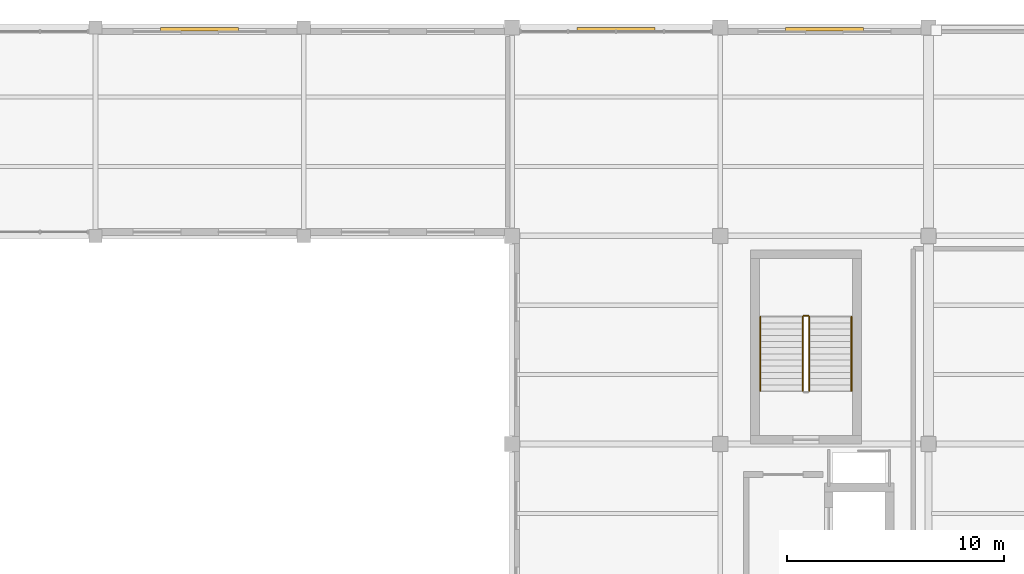
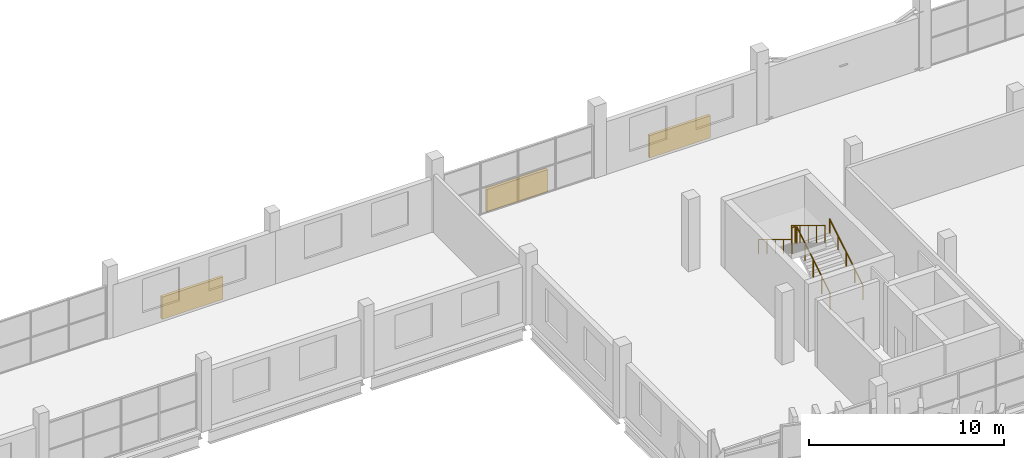
# One storey, part 91 of 92: 5 railings, 3 shading devices.
"""IFC4 building model written with IfcOpenShell, lengths in metres."""

from ifc_helpers import new_model, si_unit, direction, frame, origin, origin_2d, place, context, subcontext, project, spatial, rectangle, circle, extrude, material, type_object, element, save


model = new_model("IFC4")

# Units and contexts
model_context = context("Model", 3, precision=1e-05, world=origin(), true_north=direction((0.0, 1.0)))
body_context = subcontext(model_context, "Body", "Model", "MODEL_VIEW")
ifc_project = project(units=[si_unit("LENGTHUNIT", "METRE"), si_unit("AREAUNIT", "SQUARE_METRE"), si_unit("VOLUMEUNIT", "CUBIC_METRE"), si_unit("PLANEANGLEUNIT", "RADIAN"), si_unit("MASSUNIT", "GRAM", prefix="KILO")], contexts=[model_context])

# Site, building, storey
site_placement = place(None, origin())
site = spatial("IfcSite", under=ifc_project, at=site_placement, CompositionType="ELEMENT")
building_placement = place(site_placement, origin())
building = spatial("IfcBuilding", under=site, at=building_placement, Name="Caelomonte Colonnade Arena", CompositionType="ELEMENT")
storey_placement = place(building_placement, frame((0.0, 0.0, 9.60009765625)))
storey = spatial("IfcBuildingStorey", under=building, at=storey_placement, Name="L02", CompositionType="ELEMENT", Elevation=9.60009765625)

# Shading devices
ifc_material_1 = material(Name="Bronze anodised aluminium AA6063-T6", Category="aluminium")
shading_device_type = type_object("IfcShadingDeviceType", Name="ENV-SD-LOUV1", PredefinedType="JALOUSIE", material=ifc_material_1)
for number, where, z_axis, x_axis, name in (
    (1, (129.60009765625, 143.919921875, 0.0), (0.0, 0.0, 1.0), (1.0, 0.0, 0.0), "Courtyard solar shading louvre LV-03"),
    (2, (148.800048828125, 143.919921875, 0.0), (0.0, 0.0, 1.0), (1.0, 0.0, 0.0), "Courtyard solar shading louvre LV-04"),
    (3, (158.39990234375, 143.919921875, 0.0), (0.0, 0.0, 1.0), (1.0, 0.0, 0.0), "Courtyard solar shading louvre LV-05"),
):
    element("IfcShadingDevice", number, at=place(storey_placement, frame(where, z_axis=z_axis, x_axis=x_axis)), inside=storey, type_object=shading_device_type, Name=name, PredefinedType="JALOUSIE", context=body_context, shape_type="SweptSolid", body=[
        extrude(rectangle(XDim=3.60009765625, YDim=0.159912109375, at=origin_2d()), origin(), (0.0, 0.0, 1.0), 1.39990234375),
    ])

# Railings
ifc_material_2 = material(Name="Painted galvanized steel stair guard", Category="steel")
railing_type_1 = type_object("IfcRailingType", Name="INT-RL-GRD", PredefinedType="GUARDRAIL", material=ifc_material_2)
railing_1_placement = place(storey_placement, frame((157.699951171875, 127.25, 0.173095703125)))
element("IfcRailing", 4, at=railing_1_placement, inside=storey, type_object=railing_type_1, Name="L02 ST-06 stair guard 1", PredefinedType="GUARDRAIL", context=body_context, shape_type="SweptSolid", body=[
    extrude(circle(Radius=0.02392578125, at=origin_2d()), frame((0.0, 0.0, 1.076171875), z_axis=(0.0, 0.854729506542, 0.519073665916), x_axis=(-1.0, 0.0, 0.0)), (0.0, 0.0, 1.0), 4.001220703125),
    extrude(circle(Radius=0.02099609375, at=origin_2d()), origin(), (0.0, 0.0, 1.0), 1.048095703125),
    extrude(circle(Radius=0.02099609375, at=origin_2d()), frame((0.0, 0.85498046875, 0.519287109375)), (0.0, 0.0, 1.0), 1.048095703125),
    extrude(circle(Radius=0.02099609375, at=origin_2d()), frame((0.0, 1.7099609375, 1.03857421875)), (0.0, 0.0, 1.0), 1.048095703125),
    extrude(circle(Radius=0.02099609375, at=origin_2d()), frame((0.0, 2.56494140625, 1.5576171875)), (0.0, 0.0, 1.0), 1.048095703125),
    extrude(circle(Radius=0.02099609375, at=origin_2d()), frame((0.0, 3.419921875, 2.076904296875)), (0.0, 0.0, 1.0), 1.048095703125),
])
railing_2_placement = place(storey_placement, frame((157.64990234375, 130.719970703125, 2.25)))
element("IfcRailing", 5, at=railing_2_placement, inside=storey, type_object=railing_type_1, Name="L02 ST-06 stair guard 2", PredefinedType="GUARDRAIL", context=body_context, shape_type="SweptSolid", body=[
    extrude(circle(Radius=0.02392578125, at=origin_2d()), frame((0.0, 0.0, 1.076171875), z_axis=(-1.0, 0.0, 0.0), x_axis=(0.0, -1.0, 0.0)), (0.0, 0.0, 1.0), 0.199951171875),
    extrude(circle(Radius=0.02099609375, at=origin_2d()), origin(), (0.0, 0.0, 1.0), 1.048095703125),
    extrude(circle(Radius=0.02099609375, at=origin_2d()), frame((-0.199951171875, 0.0, 0.0)), (0.0, 0.0, 1.0), 1.048095703125),
])
railing_3_placement = place(storey_placement, frame((157.39990234375, 130.669921875, 2.423095703125)))
element("IfcRailing", 6, at=railing_3_placement, inside=storey, type_object=railing_type_1, Name="L02 ST-06 stair guard 3", PredefinedType="GUARDRAIL", context=body_context, shape_type="SweptSolid", body=[
    extrude(circle(Radius=0.02392578125, at=origin_2d()), frame((0.0, 0.0, 1.076171875), z_axis=(0.0, -0.854729506542, 0.519073665916), x_axis=(1.0, 0.0, 0.0)), (0.0, 0.0, 1.0), 4.001220703125),
    extrude(circle(Radius=0.02099609375, at=origin_2d()), origin(), (0.0, 0.0, 1.0), 1.048095703125),
    extrude(circle(Radius=0.02099609375, at=origin_2d()), frame((0.0, -0.85498046875, 0.519287109375)), (0.0, 0.0, 1.0), 1.048095703125),
    extrude(circle(Radius=0.02099609375, at=origin_2d()), frame((0.0, -1.7099609375, 1.03857421875)), (0.0, 0.0, 1.0), 1.048095703125),
    extrude(circle(Radius=0.02099609375, at=origin_2d()), frame((0.0, -2.56494140625, 1.5576171875)), (0.0, 0.0, 1.0), 1.048095703125),
    extrude(circle(Radius=0.02099609375, at=origin_2d()), frame((0.0, -3.419921875, 2.076904296875)), (0.0, 0.0, 1.0), 1.048095703125),
])
ifc_material_3 = material(Name="Brushed stainless steel stair handrail", Category="steel")
railing_type_2 = type_object("IfcRailingType", Name="INT-RL-HR", PredefinedType="HANDRAIL", material=ifc_material_3)
railing_4_placement = place(storey_placement, frame((159.64990234375, 127.25, 0.173095703125)))
element("IfcRailing", 7, at=railing_4_placement, inside=storey, type_object=railing_type_2, Name="L02 ST-06 stair handrail 1", PredefinedType="HANDRAIL", context=body_context, shape_type="SweptSolid", body=[
    extrude(circle(Radius=0.02392578125, at=origin_2d()), frame((0.0, 0.0, 0.8759765625), z_axis=(0.0, 0.854729506542, 0.519073665916), x_axis=(-1.0, 0.0, 0.0)), (0.0, 0.0, 1.0), 4.001220703125),
    extrude(circle(Radius=0.02099609375, at=origin_2d()), origin(), (0.0, 0.0, 1.0), 0.847900390625),
    extrude(circle(Radius=0.02099609375, at=origin_2d()), frame((0.0, 0.85498046875, 0.519287109375)), (0.0, 0.0, 1.0), 0.847900390625),
    extrude(circle(Radius=0.02099609375, at=origin_2d()), frame((0.0, 1.7099609375, 1.03857421875)), (0.0, 0.0, 1.0), 0.847900390625),
    extrude(circle(Radius=0.02099609375, at=origin_2d()), frame((0.0, 2.56494140625, 1.5576171875)), (0.0, 0.0, 1.0), 0.847900390625),
    extrude(circle(Radius=0.02099609375, at=origin_2d()), frame((0.0, 3.419921875, 2.076904296875)), (0.0, 0.0, 1.0), 0.847900390625),
])
railing_5_placement = place(storey_placement, frame((155.449951171875, 130.669921875, 2.423095703125)))
element("IfcRailing", 8, at=railing_5_placement, inside=storey, type_object=railing_type_2, Name="L02 ST-06 stair handrail 2", PredefinedType="HANDRAIL", context=body_context, shape_type="SweptSolid", body=[
    extrude(circle(Radius=0.02392578125, at=origin_2d()), frame((0.0, 0.0, 0.8759765625), z_axis=(0.0, -0.854729506542, 0.519073665916), x_axis=(1.0, 0.0, 0.0)), (0.0, 0.0, 1.0), 4.001220703125),
    extrude(circle(Radius=0.02099609375, at=origin_2d()), origin(), (0.0, 0.0, 1.0), 0.847900390625),
    extrude(circle(Radius=0.02099609375, at=origin_2d()), frame((0.0, -0.85498046875, 0.519287109375)), (0.0, 0.0, 1.0), 0.847900390625),
    extrude(circle(Radius=0.02099609375, at=origin_2d()), frame((0.0, -1.7099609375, 1.03857421875)), (0.0, 0.0, 1.0), 0.847900390625),
    extrude(circle(Radius=0.02099609375, at=origin_2d()), frame((0.0, -2.56494140625, 1.5576171875)), (0.0, 0.0, 1.0), 0.847900390625),
    extrude(circle(Radius=0.02099609375, at=origin_2d()), frame((0.0, -3.419921875, 2.076904296875)), (0.0, 0.0, 1.0), 0.847900390625),
])

save(model, "model.ifc")
